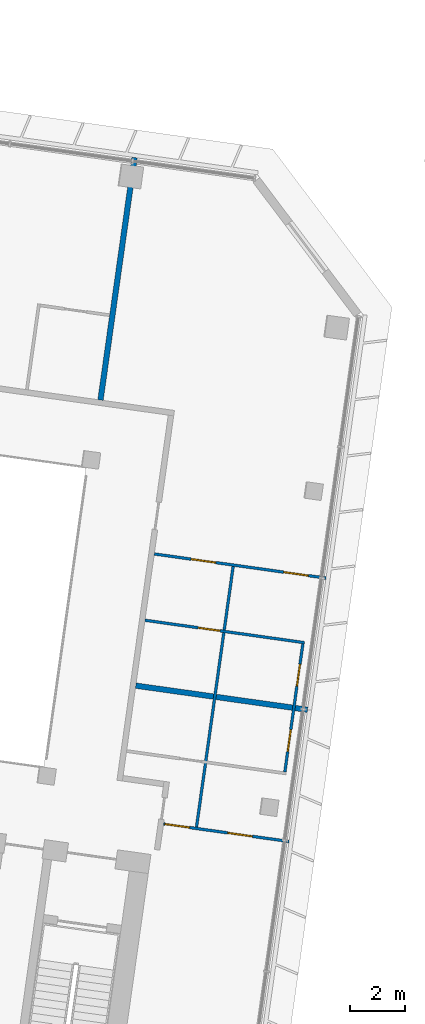
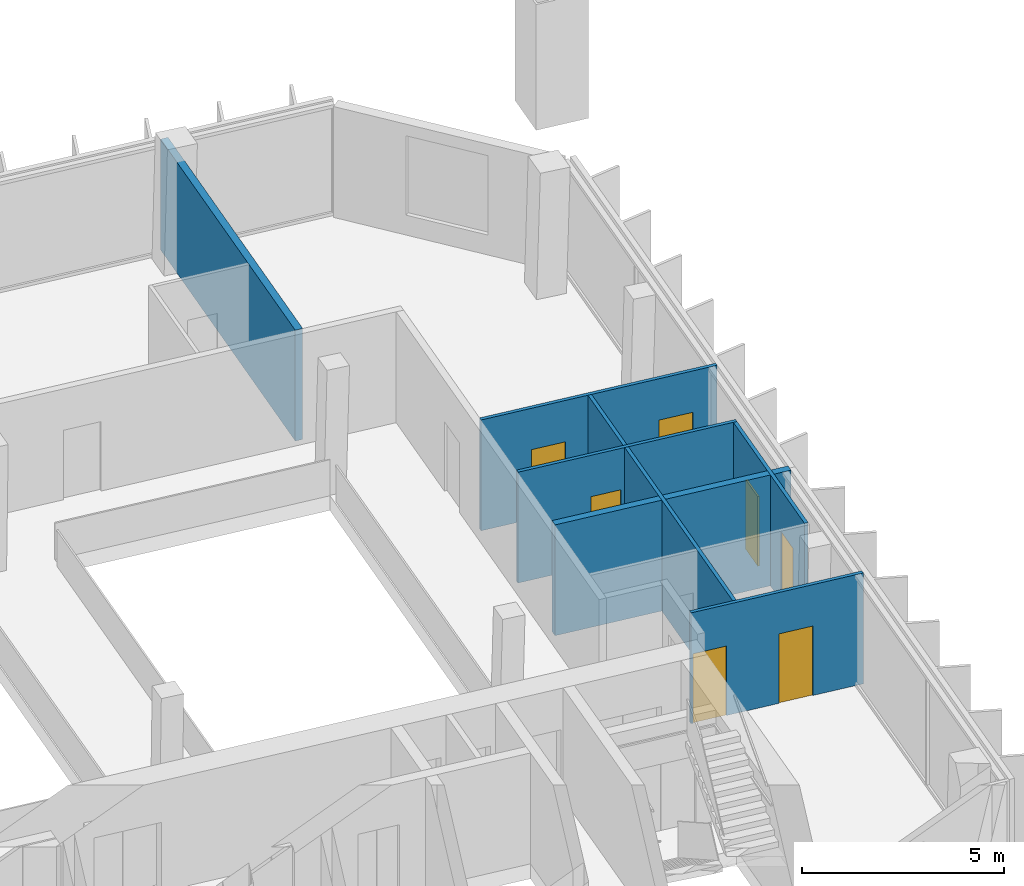
# One storey, part 19 of 28: 7 doors, 7 walls, 7 openings.
"""IFC4 building model written with IfcOpenShell, lengths in metres."""

from ifc_helpers import new_model, si_unit, direction, frame, frame_2d, origin, place, context, subcontext, project, spatial, rectangle, extrude, material, layer, layer_set, type_object, element, fill, save


model = new_model("IFC4")

# Units and contexts
model_context = context("Model", 3, precision=1e-05, world=origin(), true_north=direction((0.0, 1.0)))
body_context = subcontext(model_context, "Body", "Model", "MODEL_VIEW")
ifc_project = project(units=[si_unit("LENGTHUNIT", "METRE"), si_unit("AREAUNIT", "SQUARE_METRE"), si_unit("VOLUMEUNIT", "CUBIC_METRE"), si_unit("PLANEANGLEUNIT", "RADIAN"), si_unit("MASSUNIT", "GRAM", prefix="KILO")], contexts=[model_context])

# Site, building, storey
site_placement = place(None, origin())
site = spatial("IfcSite", under=ifc_project, at=site_placement, CompositionType="ELEMENT")
building_placement = place(site_placement, origin())
building = spatial("IfcBuilding", under=site, at=building_placement, Name="Mirante Cascada Hotel Towers", CompositionType="ELEMENT")
storey_placement = place(building_placement, frame((0.0, 0.0, 165.0)))
storey = spatial("IfcBuildingStorey", under=building, at=storey_placement, Name="L38", CompositionType="ELEMENT", Elevation=165.0)

# Walls
ifc_material_1 = material(Name="Fire-rated plasterboard on metal studs")
ifc_layer_1 = layer(ifc_material_1, 0.2)
ifc_layer_set_1 = layer_set([ifc_layer_1], Name="Compartment wall 200 EI 120")
wall_type_1 = type_object("IfcWallType", Name="Compartment wall 200 EI 120", PredefinedType="PARTITIONING", material=ifc_layer_set_1)
wall_1_placement = place(storey_placement, frame((-29.7992, -2.0282, 0.0), z_axis=(0.0, 0.0, 1.0), x_axis=(-0.9902674, 0.1391775, 0.0)))
element("IfcWall", 1, at=wall_1_placement, inside=storey, type_object=wall_type_1, Name="Wall 1-L38-07", PredefinedType="PARTITIONING", context=body_context, shape_type="SweptSolid", body=[
    extrude(rectangle(XDim=6.3027, YDim=0.2, at=frame_2d((3.1514, 0.0))), origin(), (0.0, 0.0, 1.0), 3.35),
])
wall_2_placement = place(storey_placement, frame((-36.084, 18.0418, 0.0), z_axis=(0.0, 0.0, 1.0), x_axis=(-0.1391794, -0.9902672, 0.0)))
element("IfcWall", 2, at=wall_2_placement, inside=storey, type_object=wall_type_1, Name="Wall 1-L38-30", PredefinedType="PARTITIONING", context=body_context, shape_type="SweptSolid", body=[
    extrude(rectangle(XDim=8.9, YDim=0.2, at=frame_2d((4.45, 0.0))), origin(), (0.0, 0.0, 1.0), 3.35),
])

# Wall, openings, doors
ifc_material_2 = material(Name="Plasterboard on metal studs")
ifc_layer_2 = layer(ifc_material_2, 0.1)
ifc_layer_set_2 = layer_set([ifc_layer_2], Name="Partition 100")
wall_type_2 = type_object("IfcWallType", Name="Partition 100", PredefinedType="PARTITIONING", material=ifc_layer_set_2)
wall_3_placement = place(storey_placement, frame((-35.0298, -6.1739, 0.0), z_axis=(0.0, 0.0, 1.0), x_axis=(0.9902676, -0.1391763, 0.0)))
wall_3 = element("IfcWall", 3, at=wall_3_placement, inside=storey, type_object=wall_type_2, Name="Wall 1-L38-02", PredefinedType="PARTITIONING", context=body_context, shape_type="SweptSolid", body=[
    extrude(rectangle(XDim=4.6028, YDim=0.1, at=frame_2d((2.3014, 0.0))), origin(), (0.0, 0.0, 1.0), 3.35),
])
opening_1_placement = place(wall_3_placement, frame((2.3528, 0.0, 0.0)))
opening_1 = element("IfcOpeningElement", 4, at=opening_1_placement, cuts=wall_3, Name="Opening D1-L38-02", PredefinedType="OPENING", context=body_context, shape_type="SweptSolid", body=[
    extrude(rectangle(XDim=0.9, YDim=2.1, at=frame_2d((0.45, 1.05))), frame((0.0, 0.05, 0.0), z_axis=(0.0, -1.0, 0.0), x_axis=(1.0, 0.0, 0.0)), (0.0, 0.0, 1.0), 0.1),
])
opening_2_placement = place(wall_3_placement, frame((0.05, 0.0, 0.0)))
opening_2 = element("IfcOpeningElement", 5, at=opening_2_placement, cuts=wall_3, Name="Opening D1-L38-03", PredefinedType="OPENING", context=body_context, shape_type="SweptSolid", body=[
    extrude(rectangle(XDim=0.9, YDim=2.1, at=frame_2d((0.45, 1.05))), frame((0.0, 0.05, 0.0), z_axis=(0.0, -1.0, 0.0), x_axis=(1.0, 0.0, 0.0)), (0.0, 0.0, 1.0), 0.1),
])
ifc_material_3 = material(Name="Timber door leaf", Category="wood")
door_type_1 = type_object("IfcDoorType", Name="Room door DG3 900x2100", OperationType="SINGLE_SWING_LEFT", PredefinedType="DOOR", material=ifc_material_3)
door_1_placement = place(opening_1_placement, frame((0.9, 0.0, 0.0), z_axis=(0.0, 0.0, 1.0), x_axis=(-1.0, 0.0, 0.0)))
door_1 = element("IfcDoor", 6, at=door_1_placement, inside=storey, type_object=door_type_1, Name="Door D1-L38-02", OperationType="SINGLE_SWING_RIGHT", OverallHeight=2.1, OverallWidth=0.9, PredefinedType="DOOR", context=body_context, shape_type="SweptSolid", body=[
    extrude(rectangle(XDim=0.9, YDim=2.1, at=frame_2d((0.45, 1.05))), frame((0.0, 0.025, 0.0), z_axis=(0.0, -1.0, 0.0), x_axis=(1.0, 0.0, 0.0)), (0.0, 0.0, 1.0), 0.05),
])
fill(opening_1, door_1)
door_2_placement = place(opening_2_placement, frame((0.9, 0.0, 0.0), z_axis=(0.0, 0.0, 1.0), x_axis=(-1.0, 0.0, 0.0)))
door_2 = element("IfcDoor", 7, at=door_2_placement, inside=storey, type_object=door_type_1, Name="Door D1-L38-03", OperationType="SINGLE_SWING_RIGHT", OverallHeight=2.1, OverallWidth=0.9, PredefinedType="DOOR", context=body_context, shape_type="SweptSolid", body=[
    extrude(rectangle(XDim=0.9, YDim=2.1, at=frame_2d((0.45, 1.05))), frame((0.0, 0.025, 0.0), z_axis=(0.0, -1.0, 0.0), x_axis=(1.0, 0.0, 0.0)), (0.0, 0.0, 1.0), 0.05),
])
fill(opening_2, door_2)

# Wall, opening, door
wall_4_placement = place(storey_placement, frame((-29.9122, 0.4112, 0.0), z_axis=(0.0, 0.0, 1.0), x_axis=(-0.9902669, 0.1391815, 0.0)))
wall_4 = element("IfcWall", 8, at=wall_4_placement, inside=storey, type_object=wall_type_2, Name="Wall 1-L38-09", PredefinedType="PARTITIONING", context=body_context, shape_type="SweptSolid", body=[
    extrude(rectangle(XDim=5.8514, YDim=0.1, at=frame_2d((2.9257, 0.0))), origin(), (0.0, 0.0, 1.0), 3.35),
])
opening_3_placement = place(wall_4_placement, frame((3.1, 0.0, 0.0)))
opening_3 = element("IfcOpeningElement", 9, at=opening_3_placement, cuts=wall_4, Name="Opening D1-L38-06", PredefinedType="OPENING", context=body_context, shape_type="SweptSolid", body=[
    extrude(rectangle(XDim=0.8, YDim=2.1, at=frame_2d((0.4, 1.05))), frame((0.0, 0.05, 0.0), z_axis=(0.0, -1.0, 0.0), x_axis=(1.0, 0.0, 0.0)), (0.0, 0.0, 1.0), 0.1),
])
ifc_material_4 = material(Name="Timber door leaf", Category="wood")
door_type_2 = type_object("IfcDoorType", Name="Bathroom door DG4 800x2100", OperationType="SINGLE_SWING_LEFT", PredefinedType="DOOR", material=ifc_material_4)
door_3_placement = place(opening_3_placement, frame((0.8, 0.0, 0.0), z_axis=(0.0, 0.0, 1.0), x_axis=(-1.0, 0.0, 0.0)))
door_3 = element("IfcDoor", 10, at=door_3_placement, inside=storey, type_object=door_type_2, Name="Door D1-L38-06", OperationType="SINGLE_SWING_RIGHT", OverallHeight=2.1, OverallWidth=0.8, PredefinedType="DOOR", context=body_context, shape_type="SweptSolid", body=[
    extrude(rectangle(XDim=0.8, YDim=2.1, at=frame_2d((0.4, 1.05))), frame((0.0, 0.025, 0.0), z_axis=(0.0, -1.0, 0.0), x_axis=(1.0, 0.0, 0.0)), (0.0, 0.0, 1.0), 0.05),
])
fill(opening_3, door_3)

# Wall, openings, doors
wall_5_placement = place(storey_placement, frame((-35.368, 3.6352, 0.0), z_axis=(0.0, 0.0, 1.0), x_axis=(0.9902678, -0.1391753, 0.0)))
wall_5 = element("IfcWall", 11, at=wall_5_placement, inside=storey, type_object=wall_type_2, Name="Wall 1-L38-10", PredefinedType="PARTITIONING", context=body_context, shape_type="SweptSolid", body=[
    extrude(rectangle(XDim=6.3028, YDim=0.1, at=frame_2d((3.1514, 0.0))), origin(), (0.0, 0.0, 1.0), 3.35),
])
opening_4_placement = place(wall_5_placement, frame((4.7521, 0.0, 0.0)))
opening_4 = element("IfcOpeningElement", 12, at=opening_4_placement, cuts=wall_5, Name="Opening D1-L38-07", PredefinedType="OPENING", context=body_context, shape_type="SweptSolid", body=[
    extrude(rectangle(XDim=0.9, YDim=2.1, at=frame_2d((0.45, 1.05))), frame((0.0, 0.05, 0.0), z_axis=(0.0, -1.0, 0.0), x_axis=(1.0, 0.0, 0.0)), (0.0, 0.0, 1.0), 0.1),
])
opening_5_placement = place(wall_5_placement, frame((1.3507, 0.0, 0.0)))
opening_5 = element("IfcOpeningElement", 13, at=opening_5_placement, cuts=wall_5, Name="Opening D1-L38-08", PredefinedType="OPENING", context=body_context, shape_type="SweptSolid", body=[
    extrude(rectangle(XDim=0.9, YDim=2.1, at=frame_2d((0.45, 1.05))), frame((0.0, 0.05, 0.0), z_axis=(0.0, -1.0, 0.0), x_axis=(1.0, 0.0, 0.0)), (0.0, 0.0, 1.0), 0.1),
])
door_4_placement = place(opening_4_placement, origin())
door_4 = element("IfcDoor", 14, at=door_4_placement, inside=storey, type_object=door_type_1, Name="Door D1-L38-07", OperationType="SINGLE_SWING_LEFT", OverallHeight=2.1, OverallWidth=0.9, PredefinedType="DOOR", context=body_context, shape_type="SweptSolid", body=[
    extrude(rectangle(XDim=0.9, YDim=2.1, at=frame_2d((0.45, 1.05))), frame((0.0, 0.025, 0.0), z_axis=(0.0, -1.0, 0.0), x_axis=(1.0, 0.0, 0.0)), (0.0, 0.0, 1.0), 0.05),
])
fill(opening_4, door_4)
door_5_placement = place(opening_5_placement, origin())
door_5 = element("IfcDoor", 15, at=door_5_placement, inside=storey, type_object=door_type_1, Name="Door D1-L38-08", OperationType="SINGLE_SWING_LEFT", OverallHeight=2.1, OverallWidth=0.9, PredefinedType="DOOR", context=body_context, shape_type="SweptSolid", body=[
    extrude(rectangle(XDim=0.9, YDim=2.1, at=frame_2d((0.45, 1.05))), frame((0.0, 0.025, 0.0), z_axis=(0.0, -1.0, 0.0), x_axis=(1.0, 0.0, 0.0)), (0.0, 0.0, 1.0), 0.05),
])
fill(opening_5, door_5)

wall_6_placement = place(storey_placement, frame((-30.6228, -4.2856, 0.0), z_axis=(0.0, 0.0, 1.0), x_axis=(0.13919, 0.9902657, 0.0)))
wall_6 = element("IfcWall", 16, at=wall_6_placement, inside=storey, type_object=wall_type_2, Name="Wall 1-L38-25", PredefinedType="PARTITIONING", context=body_context, shape_type="SweptSolid", body=[
    extrude(rectangle(XDim=4.7001, YDim=0.1, at=frame_2d((2.35, 0.0))), origin(), (0.0, 0.0, 1.0), 3.35),
])
opening_6_placement = place(wall_6_placement, frame((0.75, 0.0, 0.0)))
opening_6 = element("IfcOpeningElement", 17, at=opening_6_placement, cuts=wall_6, Name="Opening D1-L38-25", PredefinedType="OPENING", context=body_context, shape_type="SweptSolid", body=[
    extrude(rectangle(XDim=0.8, YDim=2.1, at=frame_2d((0.4, 1.05))), frame((0.0, 0.05, 0.0), z_axis=(0.0, -1.0, 0.0), x_axis=(1.0, 0.0, 0.0)), (0.0, 0.0, 1.0), 0.1),
])
opening_7_placement = place(wall_6_placement, frame((3.15, 0.0, 0.0)))
opening_7 = element("IfcOpeningElement", 18, at=opening_7_placement, cuts=wall_6, Name="Opening D1-L38-26", PredefinedType="OPENING", context=body_context, shape_type="SweptSolid", body=[
    extrude(rectangle(XDim=0.8, YDim=2.1, at=frame_2d((0.4, 1.05))), frame((0.0, 0.05, 0.0), z_axis=(0.0, -1.0, 0.0), x_axis=(1.0, 0.0, 0.0)), (0.0, 0.0, 1.0), 0.1),
])
door_6_placement = place(opening_6_placement, origin())
door_6 = element("IfcDoor", 19, at=door_6_placement, inside=storey, type_object=door_type_2, Name="Door D1-L38-25", OperationType="SINGLE_SWING_LEFT", OverallHeight=2.1, OverallWidth=0.8, PredefinedType="DOOR", context=body_context, shape_type="SweptSolid", body=[
    extrude(rectangle(XDim=0.8, YDim=2.1, at=frame_2d((0.4, 1.05))), frame((0.0, 0.025, 0.0), z_axis=(0.0, -1.0, 0.0), x_axis=(1.0, 0.0, 0.0)), (0.0, 0.0, 1.0), 0.05),
])
fill(opening_6, door_6)
door_7_placement = place(opening_7_placement, origin())
door_7 = element("IfcDoor", 20, at=door_7_placement, inside=storey, type_object=door_type_2, Name="Door D1-L38-26", OperationType="SINGLE_SWING_LEFT", OverallHeight=2.1, OverallWidth=0.8, PredefinedType="DOOR", context=body_context, shape_type="SweptSolid", body=[
    extrude(rectangle(XDim=0.8, YDim=2.1, at=frame_2d((0.4, 1.05))), frame((0.0, 0.025, 0.0), z_axis=(0.0, -1.0, 0.0), x_axis=(1.0, 0.0, 0.0)), (0.0, 0.0, 1.0), 0.05),
])
fill(opening_7, door_7)

# Wall
wall_7_placement = place(storey_placement, frame((-32.5018, 3.1819, 0.0), z_axis=(0.0, 0.0, 1.0), x_axis=(-0.1391717, -0.9902683, 0.0)))
element("IfcWall", 21, at=wall_7_placement, inside=storey, type_object=wall_type_2, Name="Wall 1-L38-26", PredefinedType="PARTITIONING", context=body_context, shape_type="SweptSolid", body=[
    extrude(rectangle(XDim=9.5666, YDim=0.1, at=frame_2d((4.7833, 0.0))), origin(), (0.0, 0.0, 1.0), 3.35),
])

save(model, "model.ifc")
